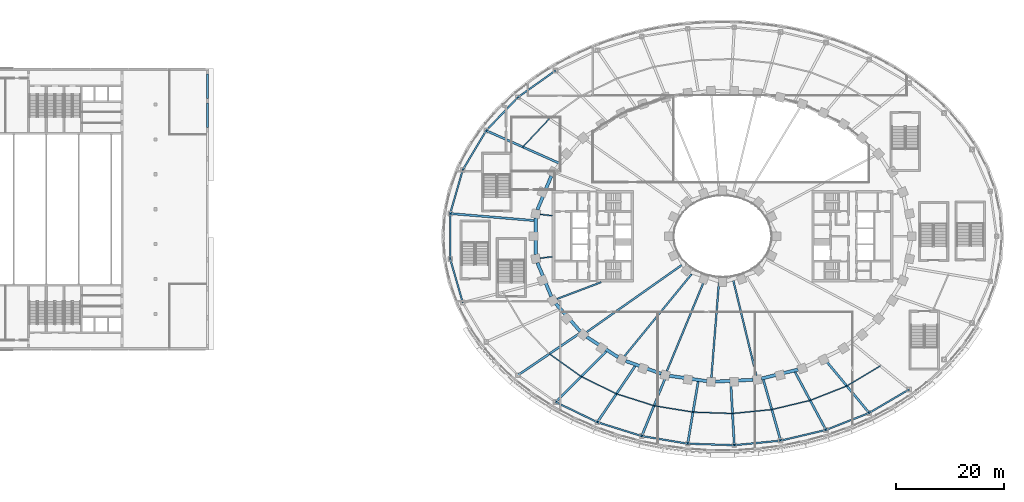
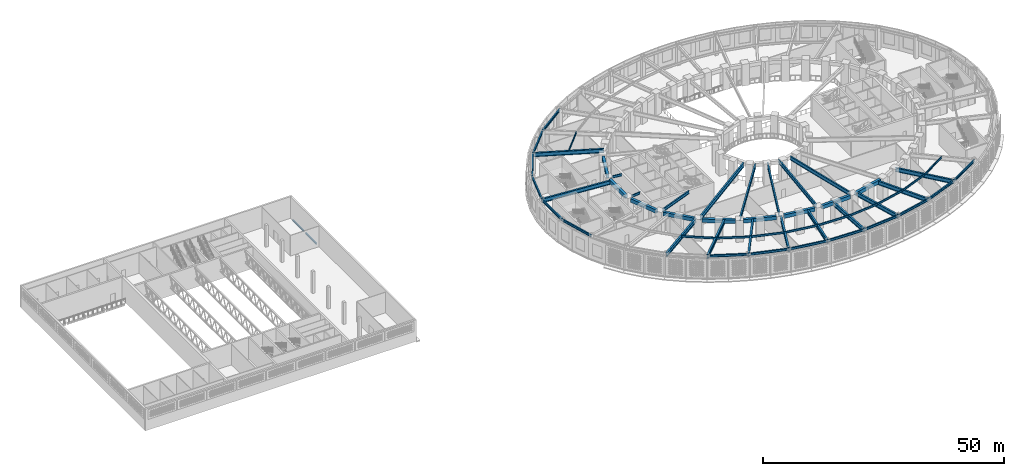
# One storey, part 5 of 69: 54 beams.
"""IFC4 building model written with IfcOpenShell, lengths in metres."""

import ifcopenshell
import ifcopenshell.guid

model = None  # the IFC model being written
_history = None  # IfcOwnerHistory: only IFC2X3 demands one
_inside = {}  # id of a spatial element -> (the spatial element, [elements in it])
_under = {}  # id of a project, library or spatial element -> (it, [spatial elements below it])
_declared = {}  # id of a project -> (the project, [libraries it declares])
_typed = {}  # id of a type object -> (the type object, [elements of that type])
_made_of = {}  # id of a material, layer set ... -> (it, [elements and type objects made of it])


def new_model(schema):
    """Start an empty IFC model of exactly this schema.

    Asked for "IFC4X3", IfcOpenShell would pick the latest addendum, in which some entities
    have other attributes; the version numbers below select the first issue.
    IFC2X3 requires an IfcOwnerHistory on every rooted entity: one is made here for all.
    """
    global model, _history
    if schema == "IFC4X3":
        model = ifcopenshell.file(schema_version=(4, 3, 0, 0))
    else:
        model = ifcopenshell.file(schema=schema)
    _inside.clear()
    _under.clear()
    _declared.clear()
    _typed.clear()
    _made_of.clear()
    _history = None
    if model.schema == "IFC2X3":
        org = make("IfcOrganization", Name="unknown")
        user = make(
            "IfcPersonAndOrganization",
            ThePerson=make("IfcPerson", FamilyName="unknown"),
            TheOrganization=org,
        )
        app = make(
            "IfcApplication",
            ApplicationDeveloper=org,
            Version="unknown",
            ApplicationFullName="unknown",
            ApplicationIdentifier="unknown",
        )
        _history = make(
            "IfcOwnerHistory",
            OwningUser=user,
            OwningApplication=app,
            ChangeAction="ADDED",
            CreationDate=0,
        )
    return model


def make(cls, **values):
    """One entity of the class cls with the attributes given. An attribute that is None is left unset."""
    return model.create_entity(
        cls, **{name: value for name, value in values.items() if value is not None}
    )


def rooted(cls, **values):
    """An entity with a GlobalId (a new one), such as an element, a storey or a relation."""
    return make(cls, GlobalId=ifcopenshell.guid.new(), OwnerHistory=_history, **values)


def si_unit(unit_type, name, prefix=None):
    """IfcSIUnit, for example si_unit("LENGTHUNIT", "METRE", prefix="MILLI")."""
    return make("IfcSIUnit", UnitType=unit_type, Prefix=prefix, Name=name)


def assignment(units):
    """IfcUnitAssignment: the units of a project."""
    return None if units is None else make("IfcUnitAssignment", Units=units)


def point(xyz):
    """IfcCartesianPoint."""
    return None if xyz is None else make("IfcCartesianPoint", Coordinates=xyz)


def direction(xyz):
    """IfcDirection."""
    return None if xyz is None else make("IfcDirection", DirectionRatios=xyz)


def frame(location, z_axis=None, x_axis=None):
    """IfcAxis2Placement3D, a coordinate frame: its origin and axes. An axis left out is left unset."""
    return make(
        "IfcAxis2Placement3D",
        Location=point(location),
        Axis=direction(z_axis),
        RefDirection=direction(x_axis),
    )


def frame_2d(location, x_axis=None):
    """IfcAxis2Placement2D, a coordinate frame in the plane: its origin and x axis."""
    return make(
        "IfcAxis2Placement2D", Location=point(location), RefDirection=direction(x_axis)
    )


def origin():
    """The frame at (0, 0, 0) with its axes left unset."""
    return frame((0.0, 0.0, 0.0))


def origin_2d():
    """The frame at (0, 0) in the plane with its x axis left unset."""
    return frame_2d((0.0, 0.0))


def place(relative_to, where):
    """IfcLocalPlacement: puts the frame where relative to a parent placement (None: the world)."""
    return make(
        "IfcLocalPlacement", PlacementRelTo=relative_to, RelativePlacement=where
    )


def context(
    kind, dimensions, precision=None, world=None, true_north=None, identifier=None
):
    """IfcGeometricRepresentationContext, for example the 3D "Model" context."""
    return make(
        "IfcGeometricRepresentationContext",
        ContextIdentifier=identifier,
        ContextType=kind,
        CoordinateSpaceDimension=dimensions,
        Precision=precision,
        WorldCoordinateSystem=world,
        TrueNorth=true_north,
    )


def subcontext(parent, identifier, kind, view, scale=None):
    """IfcGeometricRepresentationSubContext, for example "Body" below "Model"."""
    return make(
        "IfcGeometricRepresentationSubContext",
        ContextIdentifier=identifier,
        ContextType=kind,
        ParentContext=parent,
        TargetScale=scale,
        TargetView=view,
    )


def project(units=None, contexts=None):
    """IfcProject with its units and contexts."""
    return rooted(
        "IfcProject",
        Name="project",
        RepresentationContexts=contexts,
        UnitsInContext=assignment(units),
    )


def spatial(cls, under=None, at=None, **own):
    """A site, building, storey or space (cls), placed at a placement, below another one or the project."""
    s = rooted(cls, ObjectPlacement=at, **own)
    if under is not None:
        _under.setdefault(under.id(), (under, []))[1].append(s)
    return s


def profile(cls, at=None, kind="AREA", **sizes):
    """A parametric profile (cls). Its sizes go by their IFC names, for example OverallWidth=200.0."""
    return make(cls, ProfileType=kind, Position=at, **sizes)


def rectangle(**sizes):
    """IfcRectangleProfileDef."""
    return profile("IfcRectangleProfileDef", **sizes)


def i_section(**sizes):
    """IfcIShapeProfileDef."""
    return profile("IfcIShapeProfileDef", **sizes)


def extrude(swept, where, along, depth):
    """IfcExtrudedAreaSolid: the profile swept, set in the frame where, extruded along a direction by depth."""
    return make(
        "IfcExtrudedAreaSolid",
        SweptArea=swept,
        Position=where,
        ExtrudedDirection=direction(along),
        Depth=depth,
    )


def shape(context_of_items, identifier, shape_type, items):
    """IfcShapeRepresentation: the items that make up one representation, for example the "Body"."""
    return make(
        "IfcShapeRepresentation",
        ContextOfItems=context_of_items,
        RepresentationIdentifier=identifier,
        RepresentationType=shape_type,
        Items=items,
    )


def material(Name=None, Category=None):
    """IfcMaterial."""
    return make("IfcMaterial", Name=Name, Category=Category)


def material_profile(
    of_material, cross_section, Name=None, Category=None, Priority=None
):
    """IfcMaterialProfile: a cross section and its material."""
    return make(
        "IfcMaterialProfile",
        Name=Name,
        Material=of_material,
        Profile=cross_section,
        Priority=Priority,
        Category=Category,
    )


def profile_set(profiles, Name=None, composite=None):
    """IfcMaterialProfileSet."""
    return make(
        "IfcMaterialProfileSet",
        Name=Name,
        MaterialProfiles=profiles,
        CompositeProfile=composite,
    )


def made_of(thing, what):
    """Note that an element or type object is made of a material, layer set ...; save() writes the relation."""
    if what is not None:
        _made_of.setdefault(what.id(), (what, []))[1].append(thing)
    return thing


def type_object(cls, material=None, **own):
    """A type object (cls), such as IfcWallType, which elements share."""
    return made_of(rooted(cls, **own), material)


def element(
    cls,
    number,
    at=None,
    inside=None,
    cuts=None,
    type_object=None,
    material=None,
    context=None,
    identifier="Body",
    shape_type=None,
    held_by="IfcProductDefinitionShape",
    body=None,
    shapes=None,
    **own,
):
    """One element of the class cls, such as IfcWall. Its Tag is "e" and its number.

    at: its placement. inside: the storey or other place that contains it. cuts: it is an
    opening in that element (IfcRelVoidsElement). A single representation is given by context,
    identifier, shape_type and body (its items); several are given by shapes. held_by: the class
    of the entity that holds the representations. save() writes the other relations.
    """
    e = rooted(cls, Tag="e%d" % number, ObjectPlacement=at, **own)
    if body is not None:
        shapes = [shape(context, identifier, shape_type, body)]
    if shapes is not None:
        e.Representation = make(held_by, Representations=shapes)
    if inside is not None:
        _inside.setdefault(inside.id(), (inside, []))[1].append(e)
    if cuts is not None:
        rooted(
            "IfcRelVoidsElement", RelatingBuildingElement=cuts, RelatedOpeningElement=e
        )
    if type_object is not None:
        _typed.setdefault(type_object.id(), (type_object, []))[1].append(e)
    return made_of(e, material)


def aggregate(whole, parts):
    """IfcRelAggregates: a whole, such as a stair, and the parts it consists of."""
    return rooted("IfcRelAggregates", RelatingObject=whole, RelatedObjects=parts)


def save(model, path):
    """Write the relations noted so far, then the file.

    IfcRelAggregates (storeys below a building ...), IfcRelContainedInSpatialStructure (elements
    in a storey), IfcRelDefinesByType, IfcRelAssociatesMaterial and IfcRelDeclares: one each for
    every whole, place, type object, material and project.
    """
    for whole, parts in _under.values():
        aggregate(whole, parts)
    for where, things in _inside.values():
        rooted(
            "IfcRelContainedInSpatialStructure",
            RelatedElements=things,
            RelatingStructure=where,
        )
    for kind, things in _typed.values():
        rooted("IfcRelDefinesByType", RelatedObjects=things, RelatingType=kind)
    for what, things in _made_of.values():
        rooted("IfcRelAssociatesMaterial", RelatedObjects=things, RelatingMaterial=what)
    for by, libraries in _declared.values():
        rooted("IfcRelDeclares", RelatingContext=by, RelatedDefinitions=libraries)
    model.write(path)


model = new_model("IFC4")

# Units and contexts
model_context = context("Model", 3, precision=1e-05, world=origin(), true_north=direction((0.0, 1.0)))
body_context = subcontext(model_context, "Body", "Model", "MODEL_VIEW")
ifc_project = project(units=[si_unit("LENGTHUNIT", "METRE"), si_unit("AREAUNIT", "SQUARE_METRE"), si_unit("VOLUMEUNIT", "CUBIC_METRE"), si_unit("PLANEANGLEUNIT", "RADIAN"), si_unit("MASSUNIT", "GRAM", prefix="KILO")], contexts=[model_context])

# Site, building, storey
site_placement = place(None, origin())
site = spatial("IfcSite", under=ifc_project, at=site_placement, CompositionType="ELEMENT")
building_placement = place(site_placement, origin())
building = spatial("IfcBuilding", under=site, at=building_placement, Name="Noorbagh Ring Tower", CompositionType="ELEMENT")
storey_placement = place(building_placement, frame((0.0, 0.0, 19.5)))
storey = spatial("IfcBuildingStorey", under=building, at=storey_placement, Name="L03", CompositionType="ELEMENT", Elevation=19.5)

# Beams
ifc_material_1 = material(Name="Steel S355", Category="steel")
ifc_material_profile_1 = material_profile(ifc_material_1, i_section(OverallWidth=0.300048828125, OverallDepth=0.60009765625, WebThickness=0.015380859375, FlangeThickness=0.030029296875, FilletRadius=0.027099609375, at=origin_2d()), Name="HEB600")
ifc_profile_set_1 = profile_set([ifc_material_profile_1], Name="Steel S355")
beam_type_1 = type_object("IfcBeamType", Name="GND-EDGE-BEAM-HEB600", PredefinedType="BEAM", material=ifc_profile_set_1)
beam_1_placement = place(storey_placement, frame((-30.869384765625, 30.629150390625, 4.949951171875), z_axis=(-0.815104059745, -0.579314570667, 0.0), x_axis=(0.579314570667, -0.815104059745, 0.0)))
element("IfcBeam", 1, at=beam_1_placement, inside=storey, type_object=beam_type_1, Name="L03/bm/ERP-13", PredefinedType="BEAM", context=body_context, shape_type="SweptSolid", body=[
    extrude(i_section(OverallWidth=0.300048828125, OverallDepth=0.60009765625, WebThickness=0.015380859375, FlangeThickness=0.030029296875, FilletRadius=0.027099609375, at=origin_2d()), origin(), (0.0, 0.0, 1.0), 8.543212890625),
])
beam_2_placement = place(storey_placement, frame((-37.8330078125, 25.679931640625, 4.949951171875), z_axis=(-0.689738356688, -0.724058698804, 0.0), x_axis=(0.724058698804, -0.689738356688, 0.0)))
element("IfcBeam", 2, at=beam_2_placement, inside=storey, type_object=beam_type_1, Name="L03/bm/ERP-14", PredefinedType="BEAM", context=body_context, shape_type="SweptSolid", body=[
    extrude(i_section(OverallWidth=0.300048828125, OverallDepth=0.60009765625, WebThickness=0.015380859375, FlangeThickness=0.030029296875, FilletRadius=0.027099609375, at=origin_2d()), origin(), (0.0, 0.0, 1.0), 8.500732421875),
])
beam_3_placement = place(storey_placement, frame((-43.6962890625, 19.52490234375, 4.949951171875), z_axis=(-0.511999358166, -0.858985830638, 0.0), x_axis=(0.858985830638, -0.511999358166, 0.0)))
element("IfcBeam", 3, at=beam_3_placement, inside=storey, type_object=beam_type_1, Name="L03/bm/ERP-15", PredefinedType="BEAM", context=body_context, shape_type="SweptSolid", body=[
    extrude(i_section(OverallWidth=0.300048828125, OverallDepth=0.60009765625, WebThickness=0.015380859375, FlangeThickness=0.030029296875, FilletRadius=0.027099609375, at=origin_2d()), origin(), (0.0, 0.0, 1.0), 8.449462890625),
])
beam_4_placement = place(storey_placement, frame((-48.0224609375, 12.266845703125, 4.949951171875), z_axis=(-0.276646874617, -0.960971647222, 0.0), x_axis=(0.960971647222, -0.276646874617, 0.0)))
element("IfcBeam", 4, at=beam_4_placement, inside=storey, type_object=beam_type_1, Name="L03/bm/ERP-16", PredefinedType="BEAM", context=body_context, shape_type="SweptSolid", body=[
    extrude(i_section(OverallWidth=0.300048828125, OverallDepth=0.60009765625, WebThickness=0.015380859375, FlangeThickness=0.030029296875, FilletRadius=0.027099609375, at=origin_2d()), origin(), (0.0, 0.0, 1.0), 8.403076171875),
])
beam_5_placement = place(storey_placement, frame((-50.34716796875, 4.191650390625, 4.949951171875), z_axis=(0.0, -1.0, 0.0), x_axis=(1.0, 0.0, 0.0)))
element("IfcBeam", 5, at=beam_5_placement, inside=storey, type_object=beam_type_1, Name="L03/bm/ERP-17", PredefinedType="BEAM", context=body_context, shape_type="SweptSolid", body=[
    extrude(i_section(OverallWidth=0.300048828125, OverallDepth=0.60009765625, WebThickness=0.015380859375, FlangeThickness=0.030029296875, FilletRadius=0.027099609375, at=origin_2d()), origin(), (0.0, 0.0, 1.0), 8.38330078125),
])
beam_6_placement = place(storey_placement, frame((-50.34716796875, -4.191650390625, 4.949951171875), z_axis=(0.276646874617, -0.960971647222, 0.0), x_axis=(0.960971647222, 0.276646874617, 0.0)))
element("IfcBeam", 6, at=beam_6_placement, inside=storey, type_object=beam_type_1, Name="L03/bm/ERP-18", PredefinedType="BEAM", context=body_context, shape_type="SweptSolid", body=[
    extrude(i_section(OverallWidth=0.300048828125, OverallDepth=0.60009765625, WebThickness=0.015380859375, FlangeThickness=0.030029296875, FilletRadius=0.027099609375, at=origin_2d()), origin(), (0.0, 0.0, 1.0), 8.403076171875),
])
beam_7_placement = place(storey_placement, frame((-30.869384765625, -30.629150390625, 4.949951171875), z_axis=(0.89994920641, -0.435994754421, 0.0), x_axis=(0.435994754421, 0.89994920641, 0.0)))
element("IfcBeam", 7, at=beam_7_placement, inside=storey, type_object=beam_type_1, Name="L03/bm/ERP-22", PredefinedType="BEAM", context=body_context, shape_type="SweptSolid", body=[
    extrude(i_section(OverallWidth=0.300048828125, OverallDepth=0.60009765625, WebThickness=0.015380859375, FlangeThickness=0.030029296875, FilletRadius=0.027099609375, at=origin_2d()), origin(), (0.0, 0.0, 1.0), 8.57470703125),
])
beam_8_placement = place(storey_placement, frame((-23.152587890625, -34.36767578125, 4.949951171875), z_axis=(0.954717204091, -0.297514806713, 0.0), x_axis=(0.297514806713, 0.954717204091, 0.0)))
element("IfcBeam", 8, at=beam_8_placement, inside=storey, type_object=beam_type_1, Name="L03/bm/ERP-23", PredefinedType="BEAM", context=body_context, shape_type="SweptSolid", body=[
    extrude(i_section(OverallWidth=0.300048828125, OverallDepth=0.60009765625, WebThickness=0.015380859375, FlangeThickness=0.030029296875, FilletRadius=0.027099609375, at=origin_2d()), origin(), (0.0, 0.0, 1.0), 8.595703125),
])
beam_9_placement = place(storey_placement, frame((-14.946044921875, -36.925048828125, 4.949951171875), z_axis=(0.986523163949, -0.163621658075, 0.0), x_axis=(0.163621658075, 0.986523163949, 0.0)))
element("IfcBeam", 9, at=beam_9_placement, inside=storey, type_object=beam_type_1, Name="L03/bm/ERP-24", PredefinedType="BEAM", context=body_context, shape_type="SweptSolid", body=[
    extrude(i_section(OverallWidth=0.300048828125, OverallDepth=0.60009765625, WebThickness=0.015380859375, FlangeThickness=0.030029296875, FilletRadius=0.027099609375, at=origin_2d()), origin(), (0.0, 0.0, 1.0), 8.60791015625),
])
beam_10_placement = place(storey_placement, frame((-6.4541015625, -38.33349609375, 4.949951171875), z_axis=(0.999468589483, -0.032596604688, 0.0), x_axis=(0.032596604688, 0.999468589483, 0.0)))
element("IfcBeam", 10, at=beam_10_placement, inside=storey, type_object=beam_type_1, Name="L03/bm/ERP-25", PredefinedType="BEAM", context=body_context, shape_type="SweptSolid", body=[
    extrude(i_section(OverallWidth=0.300048828125, OverallDepth=0.60009765625, WebThickness=0.015380859375, FlangeThickness=0.030029296875, FilletRadius=0.027099609375, at=origin_2d()), origin(), (0.0, 0.0, 1.0), 8.61328125),
])
beam_11_placement = place(storey_placement, frame((2.154541015625, -38.6142578125, 4.949951171875), z_axis=(0.9951967317, 0.097895174616, 0.0), x_axis=(-0.097895174616, 0.9951967317, 0.0)))
element("IfcBeam", 11, at=beam_11_placement, inside=storey, type_object=beam_type_1, Name="L03/bm/ERP-26", PredefinedType="BEAM", context=body_context, shape_type="SweptSolid", body=[
    extrude(i_section(OverallWidth=0.300048828125, OverallDepth=0.60009765625, WebThickness=0.015380859375, FlangeThickness=0.030029296875, FilletRadius=0.027099609375, at=origin_2d()), origin(), (0.0, 0.0, 1.0), 8.611328125),
])
beam_12_placement = place(storey_placement, frame((10.724609375, -37.771240234375, 4.949951171875), z_axis=(0.973167977411, 0.230095822957, 0.0), x_axis=(-0.230095822957, 0.973167977411, 0.0)))
element("IfcBeam", 12, at=beam_12_placement, inside=storey, type_object=beam_type_1, Name="L03/bm/ERP-27", PredefinedType="BEAM", context=body_context, shape_type="SweptSolid", body=[
    extrude(i_section(OverallWidth=0.300048828125, OverallDepth=0.60009765625, WebThickness=0.015380859375, FlangeThickness=0.030029296875, FilletRadius=0.027099609375, at=origin_2d()), origin(), (0.0, 0.0, 1.0), 8.602783203125),
])
beam_13_placement = place(storey_placement, frame((19.0966796875, -35.791748046875, 4.949951171875), z_axis=(0.930571668723, 0.366109777758, 0.0), x_axis=(-0.366109777758, 0.930571668723, 0.0)))
element("IfcBeam", 13, at=beam_13_placement, inside=storey, type_object=beam_type_1, Name="L03/bm/ERP-28", PredefinedType="BEAM", context=body_context, shape_type="SweptSolid", body=[
    extrude(i_section(OverallWidth=0.300048828125, OverallDepth=0.60009765625, WebThickness=0.015380859375, FlangeThickness=0.030029296875, FilletRadius=0.027099609375, at=origin_2d()), origin(), (0.0, 0.0, 1.0), 8.58642578125),
])
beam_14_placement = place(storey_placement, frame((27.0869140625, -32.648193359375, 4.949951171875), z_axis=(0.8618652907, 0.507137279922, 0.0), x_axis=(-0.507137279922, 0.8618652907, 0.0)))
element("IfcBeam", 14, at=beam_14_placement, inside=storey, type_object=beam_type_1, Name="L03/bm/ERP-29", PredefinedType="BEAM", context=body_context, shape_type="SweptSolid", body=[
    extrude(i_section(OverallWidth=0.300048828125, OverallDepth=0.60009765625, WebThickness=0.015380859375, FlangeThickness=0.030029296875, FilletRadius=0.027099609375, at=origin_2d()), origin(), (0.0, 0.0, 1.0), 8.560302734375),
])
ifc_material_2 = material(Name="Steel S355", Category="steel")
ifc_material_profile_2 = material_profile(ifc_material_2, i_section(OverallWidth=0.39990234375, OverallDepth=1.0, WebThickness=0.01611328125, FlangeThickness=0.0400390625, at=origin_2d()), Name="PG1000x400x16x40")
ifc_profile_set_2 = profile_set([ifc_material_profile_2], Name="Steel S355")
beam_type_2 = type_object("IfcBeamType", Name="GND-GIRDER-PG1000x400x16x40", PredefinedType="BEAM", material=ifc_profile_set_2)
beam_15_placement = place(storey_placement, frame((-43.6962890625, 19.52490234375, 4.75), z_axis=(0.91299879945, -0.4079622436, 0.0), x_axis=(0.4079622436, 0.91299879945, 0.0)))
element("IfcBeam", 15, at=beam_15_placement, inside=storey, type_object=beam_type_2, Name="L03/bm/GRP-15", PredefinedType="BEAM", context=body_context, shape_type="SweptSolid", body=[
    extrude(i_section(OverallWidth=0.39990234375, OverallDepth=1.0, WebThickness=0.01611328125, FlangeThickness=0.0400390625, at=origin_2d()), origin(), (0.0, 0.0, 1.0), 14.8359375),
])
beam_16_placement = place(storey_placement, frame((-50.34716796875, 4.191650390625, 4.75), z_axis=(0.996552811546, -0.082960796767, 0.0), x_axis=(0.082960796767, 0.996552811546, 0.0)))
element("IfcBeam", 16, at=beam_16_placement, inside=storey, type_object=beam_type_2, Name="L03/bm/GRP-17", PredefinedType="BEAM", context=body_context, shape_type="SweptSolid", body=[
    extrude(i_section(OverallWidth=0.39990234375, OverallDepth=1.0, WebThickness=0.01611328125, FlangeThickness=0.0400390625, at=origin_2d()), origin(), (0.0, 0.0, 1.0), 15.7470703125),
])
beam_17_placement = place(storey_placement, frame((-37.8330078125, -25.679931640625, 4.75), z_axis=(0.82739656341, 0.561618132593, 0.0), x_axis=(-0.561618132593, 0.82739656341, 0.0)))
element("IfcBeam", 17, at=beam_17_placement, inside=storey, type_object=beam_type_2, Name="L03/bm/GRP-21", PredefinedType="BEAM", context=body_context, shape_type="SweptSolid", body=[
    extrude(i_section(OverallWidth=0.39990234375, OverallDepth=1.0, WebThickness=0.01611328125, FlangeThickness=0.0400390625, at=origin_2d()), origin(), (0.0, 0.0, 1.0), 14.06640625),
])
beam_18_placement = place(storey_placement, frame((-30.869384765625, -30.629150390625, 4.75), z_axis=(0.70986613718, 0.704336615039, 0.0), x_axis=(-0.704336615039, 0.70986613718, 0.0)))
element("IfcBeam", 18, at=beam_18_placement, inside=storey, type_object=beam_type_2, Name="L03/bm/GRP-22", PredefinedType="BEAM", context=body_context, shape_type="SweptSolid", body=[
    extrude(i_section(OverallWidth=0.39990234375, OverallDepth=1.0, WebThickness=0.01611328125, FlangeThickness=0.0400390625, at=origin_2d()), origin(), (0.0, 0.0, 1.0), 13.333984375),
])
beam_19_placement = place(storey_placement, frame((-23.152587890625, -34.36767578125, 4.75), z_axis=(0.558711358029, 0.829362175656, 0.0), x_axis=(-0.829362175656, 0.558711358029, 0.0)))
element("IfcBeam", 19, at=beam_19_placement, inside=storey, type_object=beam_type_2, Name="L03/bm/GRP-23", PredefinedType="BEAM", context=body_context, shape_type="SweptSolid", body=[
    extrude(i_section(OverallWidth=0.39990234375, OverallDepth=1.0, WebThickness=0.01611328125, FlangeThickness=0.0400390625, at=origin_2d()), origin(), (0.0, 0.0, 1.0), 12.6630859375),
])
beam_20_placement = place(storey_placement, frame((-14.946044921875, -36.925048828125, 4.75), z_axis=(0.375201842514, 0.926943135998, 0.0), x_axis=(-0.926943135998, 0.375201842514, 0.0)))
element("IfcBeam", 20, at=beam_20_placement, inside=storey, type_object=beam_type_2, Name="L03/bm/GRP-24", PredefinedType="BEAM", context=body_context, shape_type="SweptSolid", body=[
    extrude(i_section(OverallWidth=0.39990234375, OverallDepth=1.0, WebThickness=0.01611328125, FlangeThickness=0.0400390625, at=origin_2d()), origin(), (0.0, 0.0, 1.0), 12.094970703125),
])
beam_21_placement = place(storey_placement, frame((-6.4541015625, -38.33349609375, 4.75), z_axis=(0.166032765637, 0.986120236449, 0.0), x_axis=(-0.986120236449, 0.166032765637, 0.0)))
element("IfcBeam", 21, at=beam_21_placement, inside=storey, type_object=beam_type_2, Name="L03/bm/GRP-25", PredefinedType="BEAM", context=body_context, shape_type="SweptSolid", body=[
    extrude(i_section(OverallWidth=0.39990234375, OverallDepth=1.0, WebThickness=0.01611328125, FlangeThickness=0.0400390625, at=origin_2d()), origin(), (0.0, 0.0, 1.0), 11.82373046875),
])
beam_22_placement = place(storey_placement, frame((2.154541015625, -38.6142578125, 4.75), z_axis=(-0.055716608816, 0.998446623261, 0.0), x_axis=(-0.998446623261, -0.055716608816, 0.0)))
element("IfcBeam", 22, at=beam_22_placement, inside=storey, type_object=beam_type_2, Name="L03/bm/GRP-26", PredefinedType="BEAM", context=body_context, shape_type="SweptSolid", body=[
    extrude(i_section(OverallWidth=0.39990234375, OverallDepth=1.0, WebThickness=0.01611328125, FlangeThickness=0.0400390625, at=origin_2d()), origin(), (0.0, 0.0, 1.0), 11.734619140625),
])
beam_23_placement = place(storey_placement, frame((10.724609375, -37.771240234375, 4.75), z_axis=(-0.273130016452, 0.961977127645, 0.0), x_axis=(-0.961977127645, -0.273130016452, 0.0)))
element("IfcBeam", 23, at=beam_23_placement, inside=storey, type_object=beam_type_2, Name="L03/bm/GRP-27", PredefinedType="BEAM", context=body_context, shape_type="SweptSolid", body=[
    extrude(i_section(OverallWidth=0.39990234375, OverallDepth=1.0, WebThickness=0.01611328125, FlangeThickness=0.0400390625, at=origin_2d()), origin(), (0.0, 0.0, 1.0), 11.939208984375),
])
beam_24_placement = place(storey_placement, frame((19.0966796875, -35.791748046875, 4.75), z_axis=(-0.470746944877, 0.88226827773, 0.0), x_axis=(-0.88226827773, -0.470746944877, 0.0)))
element("IfcBeam", 24, at=beam_24_placement, inside=storey, type_object=beam_type_2, Name="L03/bm/GRP-28", PredefinedType="BEAM", context=body_context, shape_type="SweptSolid", body=[
    extrude(i_section(OverallWidth=0.39990234375, OverallDepth=1.0, WebThickness=0.01611328125, FlangeThickness=0.0400390625, at=origin_2d()), origin(), (0.0, 0.0, 1.0), 12.375),
])
beam_25_placement = place(storey_placement, frame((27.0869140625, -32.648193359375, 4.75), z_axis=(-0.638516852805, 0.769607840841, 0.0), x_axis=(-0.769607840841, -0.638516852805, 0.0)))
element("IfcBeam", 25, at=beam_25_placement, inside=storey, type_object=beam_type_2, Name="L03/bm/GRP-29", PredefinedType="BEAM", context=body_context, shape_type="SweptSolid", body=[
    extrude(i_section(OverallWidth=0.39990234375, OverallDepth=1.0, WebThickness=0.01611328125, FlangeThickness=0.0400390625, at=origin_2d()), origin(), (0.0, 0.0, 1.0), 12.943603515625),
])
ifc_material_3 = material(Name="Steel S355", Category="steel")
ifc_material_profile_3 = material_profile(ifc_material_3, i_section(OverallWidth=0.199951171875, OverallDepth=0.5, WebThickness=0.01025390625, FlangeThickness=0.01611328125, FilletRadius=0.02099609375, at=origin_2d()), Name="IPE500")
ifc_profile_set_3 = profile_set([ifc_material_profile_3], Name="Steel S355")
beam_type_3 = type_object("IfcBeamType", Name="GND-MID-BEAM-IPE500", PredefinedType="JOIST", material=ifc_profile_set_3)
beam_26_placement = place(storey_placement, frame((-32.013916015625, 21.72998046875, 5.0), z_axis=(-0.684360968268, -0.729143377609, 0.0), x_axis=(0.729143377609, -0.684360968268, 0.0)))
element("IfcBeam", 26, at=beam_26_placement, inside=storey, type_object=beam_type_3, Name="L03/bm/MRP-14", PredefinedType="JOIST", context=body_context, shape_type="SweptSolid", body=[
    extrude(i_section(OverallWidth=0.199951171875, OverallDepth=0.5, WebThickness=0.01025390625, FlangeThickness=0.01611328125, FilletRadius=0.02099609375, at=origin_2d()), origin(), (0.0, 0.0, 1.0), 7.174560546875),
])
beam_27_placement = place(storey_placement, frame((-32.013916015625, -21.72998046875, 5.0), z_axis=(0.813381743113, -0.581730298308, 0.0), x_axis=(0.581730298308, 0.813381743113, 0.0)))
element("IfcBeam", 27, at=beam_27_placement, inside=storey, type_object=beam_type_3, Name="L03/bm/MRP-21", PredefinedType="JOIST", context=body_context, shape_type="SweptSolid", body=[
    extrude(i_section(OverallWidth=0.199951171875, OverallDepth=0.5, WebThickness=0.01025390625, FlangeThickness=0.01611328125, FilletRadius=0.02099609375, at=origin_2d()), origin(), (0.0, 0.0, 1.0), 7.2255859375),
])
beam_28_placement = place(storey_placement, frame((-26.13671875, -25.933349609375, 5.0), z_axis=(0.898658812704, -0.438648308271, 0.0), x_axis=(0.438648308271, 0.898658812704, 0.0)))
element("IfcBeam", 28, at=beam_28_placement, inside=storey, type_object=beam_type_3, Name="L03/bm/MRP-22", PredefinedType="JOIST", context=body_context, shape_type="SweptSolid", body=[
    extrude(i_section(OverallWidth=0.199951171875, OverallDepth=0.5, WebThickness=0.01025390625, FlangeThickness=0.01611328125, FilletRadius=0.02099609375, at=origin_2d()), origin(), (0.0, 0.0, 1.0), 7.257080078125),
])
beam_29_placement = place(storey_placement, frame((-19.614990234375, -29.11669921875, 5.0), z_axis=(0.9531202752, -0.302591706765, 0.0), x_axis=(0.302591706765, 0.9531202752, 0.0)))
element("IfcBeam", 29, at=beam_29_placement, inside=storey, type_object=beam_type_3, Name="L03/bm/MRP-23", PredefinedType="JOIST", context=body_context, shape_type="SweptSolid", body=[
    extrude(i_section(OverallWidth=0.199951171875, OverallDepth=0.5, WebThickness=0.01025390625, FlangeThickness=0.01611328125, FilletRadius=0.02099609375, at=origin_2d()), origin(), (0.0, 0.0, 1.0), 7.279296875),
])
beam_30_placement = place(storey_placement, frame((-12.677001953125, -31.3193359375, 5.0), z_axis=(0.986756598534, -0.162207938309, 0.0), x_axis=(0.162207938309, 0.986756598534, 0.0)))
element("IfcBeam", 30, at=beam_30_placement, inside=storey, type_object=beam_type_3, Name="L03/bm/MRP-24", PredefinedType="JOIST", context=body_context, shape_type="SweptSolid", body=[
    extrude(i_section(OverallWidth=0.199951171875, OverallDepth=0.5, WebThickness=0.01025390625, FlangeThickness=0.01611328125, FilletRadius=0.02099609375, at=origin_2d()), origin(), (0.0, 0.0, 1.0), 7.30126953125),
])
beam_31_placement = place(storey_placement, frame((-5.472412109375, -32.503662109375, 5.0), z_axis=(0.999402620435, -0.034560125398, 0.0), x_axis=(0.034560125398, 0.999402620435, 0.0)))
element("IfcBeam", 31, at=beam_31_placement, inside=storey, type_object=beam_type_3, Name="L03/bm/MRP-25", PredefinedType="JOIST", context=body_context, shape_type="SweptSolid", body=[
    extrude(i_section(OverallWidth=0.199951171875, OverallDepth=0.5, WebThickness=0.01025390625, FlangeThickness=0.01611328125, FilletRadius=0.02099609375, at=origin_2d()), origin(), (0.0, 0.0, 1.0), 7.304443359375),
])
beam_32_placement = place(storey_placement, frame((1.82763671875, -32.756103515625, 5.0), z_axis=(0.99502493545, 0.099626190493, 0.0), x_axis=(-0.099626190493, 0.99502493545, 0.0)))
element("IfcBeam", 32, at=beam_32_placement, inside=storey, type_object=beam_type_3, Name="L03/bm/MRP-26", PredefinedType="JOIST", context=body_context, shape_type="SweptSolid", body=[
    extrude(i_section(OverallWidth=0.199951171875, OverallDepth=0.5, WebThickness=0.01025390625, FlangeThickness=0.01611328125, FilletRadius=0.02099609375, at=origin_2d()), origin(), (0.0, 0.0, 1.0), 7.302734375),
])
beam_33_placement = place(storey_placement, frame((9.093994140625, -32.028564453125, 5.0), z_axis=(0.972568186564, 0.23261797541, 0.0), x_axis=(-0.23261797541, 0.972568186564, 0.0)))
element("IfcBeam", 33, at=beam_33_placement, inside=storey, type_object=beam_type_3, Name="L03/bm/MRP-27", PredefinedType="JOIST", context=body_context, shape_type="SweptSolid", body=[
    extrude(i_section(OverallWidth=0.199951171875, OverallDepth=0.5, WebThickness=0.01025390625, FlangeThickness=0.01611328125, FilletRadius=0.02099609375, at=origin_2d()), origin(), (0.0, 0.0, 1.0), 7.2900390625),
])
beam_34_placement = place(storey_placement, frame((16.18408203125, -30.332763671875, 5.0), z_axis=(0.930496782909, 0.36630006415, 0.0), x_axis=(-0.36630006415, 0.930496782909, 0.0)))
element("IfcBeam", 34, at=beam_34_placement, inside=storey, type_object=beam_type_3, Name="L03/bm/MRP-28", PredefinedType="JOIST", context=body_context, shape_type="SweptSolid", body=[
    extrude(i_section(OverallWidth=0.199951171875, OverallDepth=0.5, WebThickness=0.01025390625, FlangeThickness=0.01611328125, FilletRadius=0.02099609375, at=origin_2d()), origin(), (0.0, 0.0, 1.0), 7.276123046875),
])
beam_35_placement = place(storey_placement, frame((22.95458984375, -27.66748046875, 5.0), z_axis=(0.858046251749, 0.513572419293, 0.0), x_axis=(-0.513572419293, 0.858046251749, 0.0)))
element("IfcBeam", 35, at=beam_35_placement, inside=storey, type_object=beam_type_3, Name="L03/bm/MRP-29", PredefinedType="JOIST", context=body_context, shape_type="SweptSolid", body=[
    extrude(i_section(OverallWidth=0.199951171875, OverallDepth=0.5, WebThickness=0.01025390625, FlangeThickness=0.01611328125, FilletRadius=0.02099609375, at=origin_2d()), origin(), (0.0, 0.0, 1.0), 7.23486328125),
])
ifc_material_4 = material(Name="Steel S355", Category="steel")
ifc_material_profile_4 = material_profile(ifc_material_4, i_section(OverallWidth=0.219970703125, OverallDepth=0.60009765625, WebThickness=0.011962890625, FlangeThickness=0.01904296875, FilletRadius=0.02392578125, at=origin_2d()), Name="IPE600")
ifc_profile_set_4 = profile_set([ifc_material_profile_4], Name="Steel S355")
beam_type_4 = type_object("IfcBeamType", Name="STR-RAD-IPE600", PredefinedType="BEAM", material=ifc_profile_set_4)
for number, where, z_axis, x_axis, name in (
    (36, (-33.75, 4.057373046875, 4.949951171875), (0.992846993178, -0.11939366875, 0.0), (0.11939366875, 0.992846993178, 0.0), "L03/bm/RD23"),
    (37, (-33.75, -4.057373046875, 4.949951171875), (0.992846993178, 0.11939366875, 0.0), (-0.11939366875, 0.992846993178, 0.0), "L03/bm/RD25"),
):
    element("IfcBeam", number, at=place(storey_placement, frame(where, z_axis=z_axis, x_axis=x_axis)), inside=storey, type_object=beam_type_4, Name=name, PredefinedType="BEAM", context=body_context, shape_type="SweptSolid", body=[
        extrude(i_section(OverallWidth=0.219970703125, OverallDepth=0.60009765625, WebThickness=0.011962890625, FlangeThickness=0.01904296875, FilletRadius=0.02392578125, at=origin_2d()), origin(), (0.0, 0.0, 1.0), 2.2861328125),
    ])
ifc_material_5 = material(Name="Steel S355", Category="steel")
ifc_material_profile_5 = material_profile(ifc_material_5, i_section(OverallWidth=0.35009765625, OverallDepth=1.050048828125, WebThickness=0.01806640625, FlangeThickness=0.033935546875, at=origin_2d()), Name="PG1050x350x18x34")
ifc_profile_set_5 = profile_set([ifc_material_profile_5], Name="Steel S355")
beam_type_5 = type_object("IfcBeamType", Name="STR-RAD-PG1050x350x18x34", PredefinedType="BEAM", material=ifc_profile_set_5)
beam_36_placement = place(storey_placement, frame((-25.12353515625, -17.715576171875, 4.72509765625), z_axis=(0.817253259362, 0.576278673961, 0.0), x_axis=(-0.576278673961, 0.817253259362, 0.0)))
element("IfcBeam", 38, at=beam_36_placement, inside=storey, type_object=beam_type_5, Name="L03/bm/RD29", PredefinedType="BEAM", context=body_context, shape_type="SweptSolid", body=[
    extrude(i_section(OverallWidth=0.35009765625, OverallDepth=1.050048828125, WebThickness=0.01806640625, FlangeThickness=0.033935546875, at=origin_2d()), origin(), (0.0, 0.0, 1.0), 21.471435546875),
])
ifc_material_6 = material(Name="Steel S355", Category="steel")
ifc_material_profile_6 = material_profile(ifc_material_6, i_section(OverallWidth=0.300048828125, OverallDepth=0.75, WebThickness=0.013916015625, FlangeThickness=0.02587890625, at=origin_2d()), Name="PG750x300x14x26")
ifc_profile_set_6 = profile_set([ifc_material_profile_6], Name="Steel S355")
beam_type_6 = type_object("IfcBeamType", Name="STR-RAD-PG750x300x14x26", PredefinedType="BEAM", material=ifc_profile_set_6)
beam_37_placement = place(storey_placement, frame((-30.619873046875, -11.5888671875, 4.875), z_axis=(0.935258038122, 0.353966668102, 0.0), x_axis=(-0.353966668102, 0.935258038122, 0.0)))
element("IfcBeam", 39, at=beam_37_placement, inside=storey, type_object=beam_type_6, Name="L03/bm/RD27", PredefinedType="BEAM", context=body_context, shape_type="SweptSolid", body=[
    extrude(i_section(OverallWidth=0.300048828125, OverallDepth=0.75, WebThickness=0.013916015625, FlangeThickness=0.02587890625, at=origin_2d()), origin(), (0.0, 0.0, 1.0), 8.746337890625),
])
ifc_material_7 = material(Name="Steel S355", Category="steel")
ifc_material_profile_7 = material_profile(ifc_material_7, i_section(OverallWidth=0.320068359375, OverallDepth=0.949951171875, WebThickness=0.01611328125, FlangeThickness=0.030029296875, at=origin_2d()), Name="PG950x320x16x30")
ifc_profile_set_7 = profile_set([ifc_material_profile_7], Name="Steel S355")
beam_type_7 = type_object("IfcBeamType", Name="STR-RAD-PG950x320x16x30", PredefinedType="BEAM", material=ifc_profile_set_7)
beam_38_placement = place(storey_placement, frame((-18.138427734375, -22.164794921875, 4.77490234375), z_axis=(0.633308995725, 0.773899034715, 0.0), x_axis=(-0.773899034715, 0.633308995725, 0.0)))
element("IfcBeam", 40, at=beam_38_placement, inside=storey, type_object=beam_type_7, Name="L03/bm/RD31", PredefinedType="BEAM", context=body_context, shape_type="SweptSolid", body=[
    extrude(i_section(OverallWidth=0.320068359375, OverallDepth=0.949951171875, WebThickness=0.01611328125, FlangeThickness=0.030029296875, at=origin_2d()), origin(), (0.0, 0.0, 1.0), 19.603759765625),
])
beam_39_placement = place(storey_placement, frame((-10.311767578125, -24.9443359375, 4.77490234375), z_axis=(0.382034392842, 0.924148106467, 0.0), x_axis=(-0.924148106467, 0.382034392842, 0.0)))
element("IfcBeam", 41, at=beam_39_placement, inside=storey, type_object=beam_type_7, Name="L03/bm/RD33", PredefinedType="BEAM", context=body_context, shape_type="SweptSolid", body=[
    extrude(i_section(OverallWidth=0.320068359375, OverallDepth=0.949951171875, WebThickness=0.01611328125, FlangeThickness=0.030029296875, at=origin_2d()), origin(), (0.0, 0.0, 1.0), 18.548583984375),
])
beam_40_placement = place(storey_placement, frame((-2.081298828125, -26.1201171875, 4.77490234375), z_axis=(0.079425808882, 0.996840780107, 0.0), x_axis=(-0.996840780107, 0.079425808882, 0.0)))
element("IfcBeam", 42, at=beam_40_placement, inside=storey, type_object=beam_type_7, Name="L03/bm/RD35", PredefinedType="BEAM", context=body_context, shape_type="SweptSolid", body=[
    extrude(i_section(OverallWidth=0.320068359375, OverallDepth=0.949951171875, WebThickness=0.01611328125, FlangeThickness=0.030029296875, at=origin_2d()), origin(), (0.0, 0.0, 1.0), 18.227783203125),
])
beam_41_placement = place(storey_placement, frame((6.22509765625, -25.729248046875, 4.77490234375), z_axis=(-0.235155855534, 0.971957675832, 0.0), x_axis=(-0.971957675832, -0.235155855534, 0.0)))
element("IfcBeam", 43, at=beam_41_placement, inside=storey, type_object=beam_type_7, Name="L03/bm/RD37", PredefinedType="BEAM", context=body_context, shape_type="SweptSolid", body=[
    extrude(i_section(OverallWidth=0.320068359375, OverallDepth=0.949951171875, WebThickness=0.01611328125, FlangeThickness=0.030029296875, at=origin_2d()), origin(), (0.0, 0.0, 1.0), 18.029541015625),
])
ifc_material_8 = material(Name="Concrete C40/50", Category="concrete")
ifc_material_profile_8 = material_profile(ifc_material_8, rectangle(XDim=0.60009765625, YDim=0.89990234375, at=origin_2d()), Name="RC600x900")
ifc_profile_set_8 = profile_set([ifc_material_profile_8], Name="Concrete C40/50")
beam_type_8 = type_object("IfcBeamType", Name="STR-SB-RC600x900-C40-50", PredefinedType="BEAM", material=ifc_profile_set_8)
beam_42_placement = place(storey_placement, frame((-31.665283203125, 11.137451171875, 4.800048828125), z_axis=(-0.378998692222, -0.925397207308, 0.0), x_axis=(0.925397207308, -0.378998692222, 0.0)))
element("IfcBeam", 44, at=beam_42_placement, inside=storey, type_object=beam_type_8, Name="L03/bm/SP21", PredefinedType="BEAM", context=body_context, shape_type="SweptSolid", body=[
    extrude(rectangle(XDim=0.60009765625, YDim=0.89990234375, at=origin_2d()), origin(), (0.0, 0.0, 1.0), 6.75537109375),
])
beam_43_placement = place(storey_placement, frame((-34.52685546875, 3.354736328125, 4.800048828125), z_axis=(0.0, -1.0, 0.0), x_axis=(1.0, 0.0, 0.0)))
element("IfcBeam", 45, at=beam_43_placement, inside=storey, type_object=beam_type_8, Name="L03/bm/SP23", PredefinedType="BEAM", context=body_context, shape_type="SweptSolid", body=[
    extrude(rectangle(XDim=0.60009765625, YDim=0.89990234375, at=origin_2d()), origin(), (0.0, 0.0, 1.0), 6.70947265625),
])
beam_44_placement = place(storey_placement, frame((-34.2255859375, -4.885986328125, 4.800048828125), z_axis=(0.378998692222, -0.925397207308, 0.0), x_axis=(0.925397207308, 0.378998692222, 0.0)))
element("IfcBeam", 46, at=beam_44_placement, inside=storey, type_object=beam_type_8, Name="L03/bm/SP25", PredefinedType="BEAM", context=body_context, shape_type="SweptSolid", body=[
    extrude(rectangle(XDim=0.60009765625, YDim=0.89990234375, at=origin_2d()), origin(), (0.0, 0.0, 1.0), 6.75537109375),
])
beam_45_placement = place(storey_placement, frame((-30.84130859375, -12.462890625, 4.800048828125), z_axis=(0.662635440904, -0.748942102206, 0.0), x_axis=(0.748942102206, 0.662635440904, 0.0)))
element("IfcBeam", 47, at=beam_45_placement, inside=storey, type_object=beam_type_8, Name="L03/bm/SP27", PredefinedType="BEAM", context=body_context, shape_type="SweptSolid", body=[
    extrude(rectangle(XDim=0.60009765625, YDim=0.89990234375, at=origin_2d()), origin(), (0.0, 0.0, 1.0), 6.845703125),
])
beam_46_placement = place(storey_placement, frame((-25.12158203125, -18.60693359375, 4.800048828125), z_axis=(0.840249989986, -0.542199183261, 0.0), x_axis=(0.542199183261, 0.840249989986, 0.0)))
element("IfcBeam", 48, at=beam_46_placement, inside=storey, type_object=beam_type_8, Name="L03/bm/SP29", PredefinedType="BEAM", context=body_context, shape_type="SweptSolid", body=[
    extrude(rectangle(XDim=0.60009765625, YDim=0.89990234375, at=origin_2d()), origin(), (0.0, 0.0, 1.0), 6.9208984375),
])
beam_47_placement = place(storey_placement, frame((-17.90771484375, -23.051025390625, 4.800048828125), z_axis=(0.941030272182, -0.338322371175, 0.0), x_axis=(0.338322371175, 0.941030272182, 0.0)))
element("IfcBeam", 49, at=beam_47_placement, inside=storey, type_object=beam_type_8, Name="L03/bm/SP31", PredefinedType="BEAM", context=body_context, shape_type="SweptSolid", body=[
    extrude(rectangle(XDim=0.60009765625, YDim=0.89990234375, at=origin_2d()), origin(), (0.0, 0.0, 1.0), 6.96728515625),
])
beam_48_placement = place(storey_placement, frame((-9.83740234375, -25.785888671875, 4.800048828125), z_axis=(0.989714845194, -0.143054273623, 0.0), x_axis=(0.143054273623, 0.989714845194, 0.0)))
element("IfcBeam", 50, at=beam_48_placement, inside=storey, type_object=beam_type_8, Name="L03/bm/SP33", PredefinedType="BEAM", context=body_context, shape_type="SweptSolid", body=[
    extrude(rectangle(XDim=0.60009765625, YDim=0.89990234375, at=origin_2d()), origin(), (0.0, 0.0, 1.0), 6.990234375),
])
beam_49_placement = place(storey_placement, frame((-1.3603515625, -26.86083984375, 4.800048828125), z_axis=(0.998867742854, 0.047573440964, 0.0), x_axis=(-0.047573440964, 0.998867742854, 0.0)))
element("IfcBeam", 51, at=beam_49_placement, inside=storey, type_object=beam_type_8, Name="L03/bm/SP35", PredefinedType="BEAM", context=body_context, shape_type="SweptSolid", body=[
    extrude(rectangle(XDim=0.60009765625, YDim=0.89990234375, at=origin_2d()), origin(), (0.0, 0.0, 1.0), 6.99462890625),
])
beam_50_placement = place(storey_placement, frame((7.170166015625, -26.302978515625, 4.800048828125), z_axis=(0.970827667704, 0.239778313491, 0.0), x_axis=(-0.239778313491, 0.970827667704, 0.0)))
element("IfcBeam", 52, at=beam_50_placement, inside=storey, type_object=beam_type_8, Name="L03/bm/SP37", PredefinedType="BEAM", context=body_context, shape_type="SweptSolid", body=[
    extrude(rectangle(XDim=0.60009765625, YDim=0.89990234375, at=origin_2d()), origin(), (0.0, 0.0, 1.0), 6.981689453125),
])
ifc_material_9 = material(Name="Steel S355", Category="steel")
ifc_material_profile_9 = material_profile(ifc_material_9, i_section(OverallWidth=0.300048828125, OverallDepth=0.300048828125, WebThickness=0.010986328125, FlangeThickness=0.01904296875, FilletRadius=0.027099609375, at=origin_2d()), Name="HEB300")
ifc_profile_set_9 = profile_set([ifc_material_profile_9], Name="Steel S355")
beam_type_9 = type_object("IfcBeamType", Name="TH-SPANDREL", PredefinedType="BEAM", material=ifc_profile_set_9)
beam_51_placement = place(storey_placement, frame((-95.199951171875, 20.10009765625, -0.14990234375), z_axis=(0.0, 1.0, 0.0), x_axis=(-1.0, 0.0, 0.0)))
element("IfcBeam", 53, at=beam_51_placement, inside=storey, type_object=beam_type_9, Name="Foyer spandrel beam 7", PredefinedType="BEAM", context=body_context, shape_type="SweptSolid", body=[
    extrude(i_section(OverallWidth=0.300048828125, OverallDepth=0.300048828125, WebThickness=0.010986328125, FlangeThickness=0.01904296875, FilletRadius=0.027099609375, at=origin_2d()), origin(), (0.0, 0.0, 1.0), 4.5498046875),
])
beam_52_placement = place(storey_placement, frame((-95.199951171875, 25.449951171875, -0.14990234375), z_axis=(0.0, 1.0, 0.0), x_axis=(-1.0, 0.0, 0.0)))
element("IfcBeam", 54, at=beam_52_placement, inside=storey, type_object=beam_type_9, Name="Foyer spandrel beam 8", PredefinedType="BEAM", context=body_context, shape_type="SweptSolid", body=[
    extrude(i_section(OverallWidth=0.300048828125, OverallDepth=0.300048828125, WebThickness=0.010986328125, FlangeThickness=0.01904296875, FilletRadius=0.027099609375, at=origin_2d()), origin(), (0.0, 0.0, 1.0), 4.550048828125),
])

save(model, "model.ifc")
